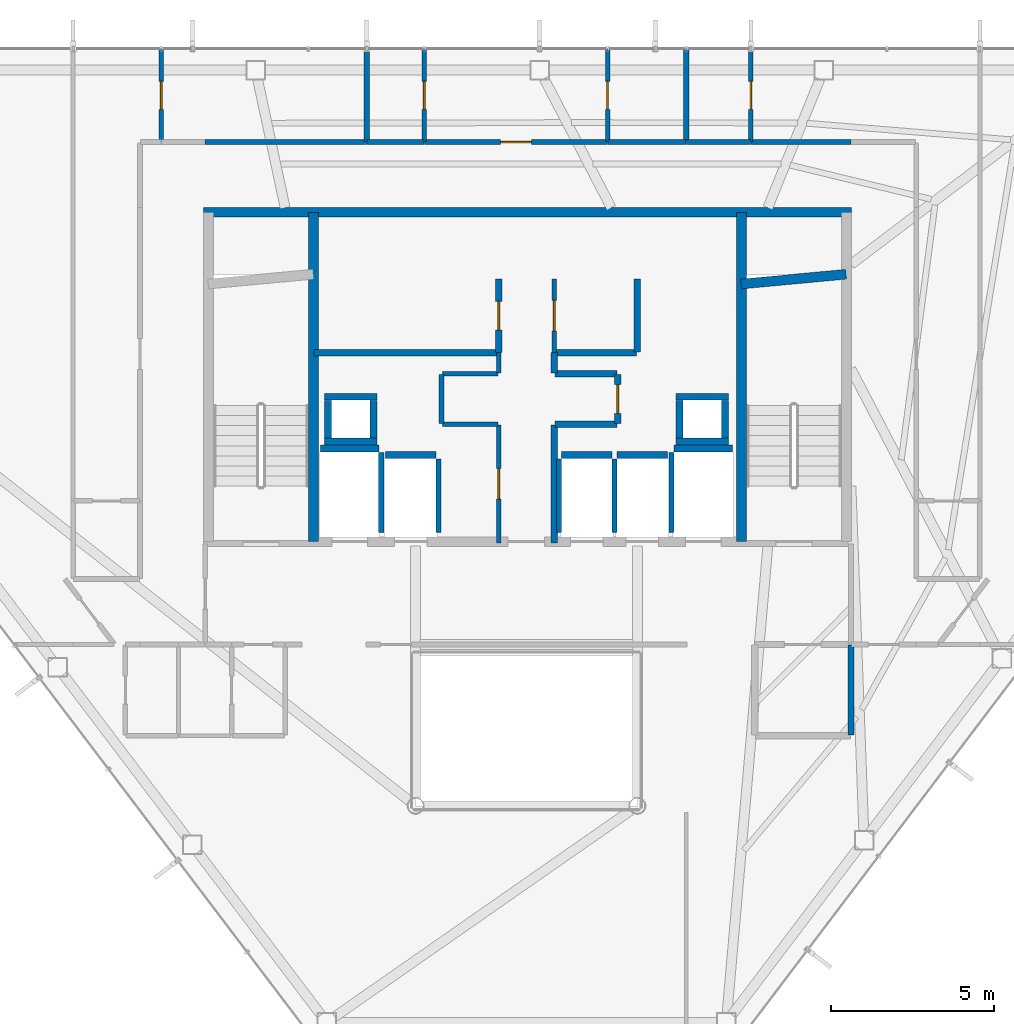
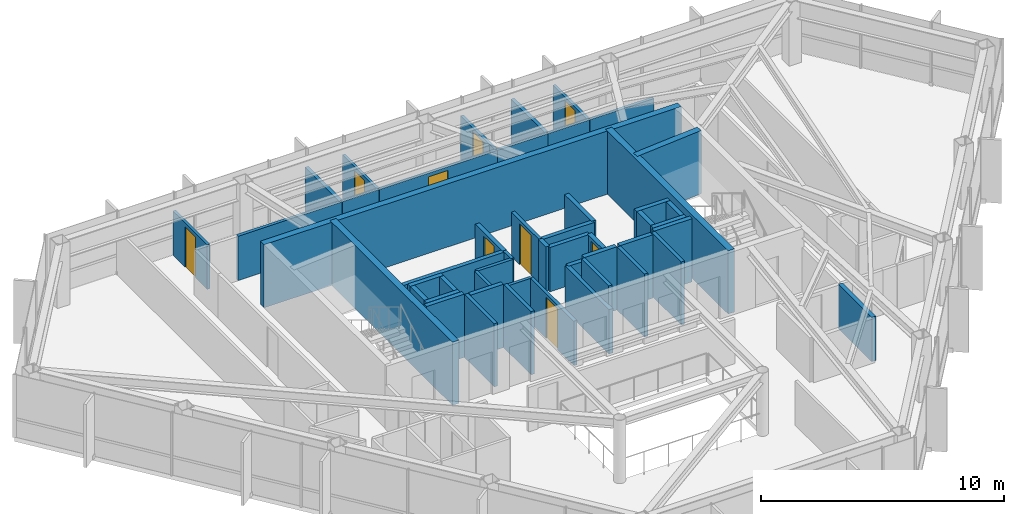
# One storey, part 23 of 25: 50 walls, 9 doors, 9 openings.
"""IFC4 building model written with IfcOpenShell, lengths in metres."""

from ifc_helpers import new_model, si_unit, direction, frame, frame_2d, origin, place, context, subcontext, project, spatial, rectangle, extrude, material, layer, layer_set, type_object, element, fill, save


model = new_model("IFC4")

# Units and contexts
model_context = context("Model", 3, precision=1e-05, world=origin(), true_north=direction((0.0, 1.0)))
body_context = subcontext(model_context, "Body", "Model", "MODEL_VIEW")
ifc_project = project(units=[si_unit("LENGTHUNIT", "METRE"), si_unit("AREAUNIT", "SQUARE_METRE"), si_unit("VOLUMEUNIT", "CUBIC_METRE"), si_unit("PLANEANGLEUNIT", "RADIAN"), si_unit("MASSUNIT", "GRAM", prefix="KILO")], contexts=[model_context])

# Site, building, storey
site_placement = place(None, origin())
site = spatial("IfcSite", under=ifc_project, at=site_placement, CompositionType="ELEMENT")
building_placement = place(site_placement, origin())
building = spatial("IfcBuilding", under=site, at=building_placement, Name="Zarrinselat Tower", CompositionType="ELEMENT")
storey_placement = place(building_placement, frame((0.0, 0.0, 208.760009765625)))
storey = spatial("IfcBuildingStorey", under=building, at=storey_placement, Name="L51", CompositionType="ELEMENT", Elevation=208.760009765625)

# Walls
ifc_material_1 = material(Name="Fire-Rated Gypsum Board Partition", Category="gypsum")
ifc_layer_1 = layer(ifc_material_1, 0.1650390625)
ifc_layer_set_1 = layer_set([ifc_layer_1], Name="Fire-Rated Gypsum Board Partition")
wall_type_1 = type_object("IfcWallType", Name="WAL-PART-DEMISE", PredefinedType="PARTITIONING", material=ifc_layer_set_1)
for number, where, z_axis, x_axis, name in (
    (1, (33.5, 45.570068359375, 0.0), (0.0, 0.0, 1.0), (0.0, 1.0, 0.0), "L51 Partition Wall 68"),
    (2, (43.300048828125, 45.570068359375, 0.0), (0.0, 0.0, 1.0), (0.0, 1.0, 0.0), "L51 Partition Wall 71"),
):
    element("IfcWall", number, at=place(storey_placement, frame(where, z_axis=z_axis, x_axis=x_axis)), inside=storey, type_object=wall_type_1, Name=name, PredefinedType="PARTITIONING", context=body_context, shape_type="SweptSolid", body=[
        extrude(rectangle(XDim=2.825927734375, YDim=0.1650390625, at=frame_2d((1.4130859375, 0.0))), origin(), (0.0, 0.0, 1.0), 2.235107421875),
    ])
ifc_material_2 = material(Name="Concrete C40/50", Category="concrete")
ifc_layer_2 = layer(ifc_material_2, 0.18994140625)
ifc_layer_set_2 = layer_set([ifc_layer_2], Name="Concrete C40/50")
wall_type_2 = type_object("IfcWallType", Name="WAL-PART-EI120", PredefinedType="PARTITIONING", material=ifc_layer_set_2)
wall_1_placement = place(storey_placement, frame((48.35009765625, 27.3701171875, 0.0), z_axis=(0.0, 0.0, 1.0), x_axis=(0.0, 1.0, 0.0)))
element("IfcWall", 3, at=wall_1_placement, inside=storey, type_object=wall_type_2, Name="L51 Partition Wall 25", PredefinedType="PARTITIONING", context=body_context, shape_type="SweptSolid", body=[
    extrude(rectangle(XDim=2.759765625, YDim=0.18994140625, at=frame_2d((1.3798828125, 0.0))), origin(), (0.0, 0.0, 1.0), 2.235107421875),
])

# Wall, opening, door
ifc_material_3 = material(Name="Fire-Rated Gypsum Board Partition", Category="gypsum")
ifc_layer_3 = layer(ifc_material_3, 0.14990234375)
ifc_layer_set_3 = layer_set([ifc_layer_3], Name="Fire-Rated Gypsum Board Partition")
wall_type_3 = type_object("IfcWallType", Name="WAL-PART-EI60", PredefinedType="PARTITIONING", material=ifc_layer_set_3)
wall_2_placement = place(storey_placement, frame((37.550048828125, 33.264892578125, 0.0), z_axis=(0.0, 0.0, 1.0), x_axis=(0.0, 1.0, 0.0)))
wall_2 = element("IfcWall", 4, at=wall_2_placement, inside=storey, type_object=wall_type_3, Name="L51 Partition Wall 1", PredefinedType="PARTITIONING", context=body_context, shape_type="SweptSolid", body=[
    extrude(rectangle(XDim=3.614990234375, YDim=0.14990234375, at=frame_2d((1.8076171875, 0.0))), origin(), (0.0, 0.0, 1.0), 2.235107421875),
])
opening_1_placement = place(wall_2_placement, frame((1.33740234375, 0.0, 0.0)))
opening_1 = element("IfcOpeningElement", 5, at=opening_1_placement, cuts=wall_2, Name="Opening ID-04", PredefinedType="OPENING", context=body_context, shape_type="SweptSolid", body=[
    extrude(rectangle(XDim=0.93994140625, YDim=2.050048828125, at=frame_2d((0.469970703125, 1.02490234375))), frame((0.0, 0.0849609375, 0.0), z_axis=(0.0, -1.0, 0.0), x_axis=(1.0, 0.0, 0.0)), (0.0, 0.0, 1.0), 0.169921875),
])
ifc_material_4 = material(Name="Fire-Rated Gypsum Board Partition")
door_type_1 = type_object("IfcDoorType", Name="DR-INT-FD30-ENT", OperationType="NOTDEFINED", PredefinedType="DOOR", material=ifc_material_4)
door_1_placement = place(opening_1_placement, origin())
door_1 = element("IfcDoor", 6, at=door_1_placement, inside=storey, type_object=door_type_1, Name="L51 Interior Door P1", OperationType="SINGLE_SWING_RIGHT", OverallHeight=2.050048828125, OverallWidth=0.93994140625, PredefinedType="DOOR", context=body_context, shape_type="SweptSolid", body=[
    extrude(rectangle(XDim=0.93994140625, YDim=2.050048828125, at=frame_2d((0.469970703125, 1.02490234375))), frame((0.0, 0.02490234375, 0.0), z_axis=(0.0, -1.0, 0.0), x_axis=(1.0, 0.0, 0.0)), (0.0, 0.0, 1.0), 0.050048828125),
])
fill(opening_1, door_1)

# Walls
wall_3_placement = place(storey_placement, frame((35.820068359375, 36.89990234375, 0.0), z_axis=(0.0, 0.0, 1.0), x_axis=(1.0, 0.0, 0.0)))
element("IfcWall", 7, at=wall_3_placement, inside=storey, type_object=wall_type_3, Name="L51 Partition Wall 2", PredefinedType="PARTITIONING", context=body_context, shape_type="SweptSolid", body=[
    extrude(rectangle(XDim=1.7099609375, YDim=0.14990234375, at=frame_2d((0.85498046875, 0.0))), origin(), (0.0, 0.0, 1.0), 2.235107421875),
])
wall_4_placement = place(storey_placement, frame((35.800048828125, 36.919921875, 0.0), z_axis=(0.0, 0.0, 1.0), x_axis=(0.0, 1.0, 0.0)))
element("IfcWall", 8, at=wall_4_placement, inside=storey, type_object=wall_type_3, Name="L51 Partition Wall 3", PredefinedType="PARTITIONING", context=body_context, shape_type="SweptSolid", body=[
    extrude(rectangle(XDim=1.510009765625, YDim=0.14990234375, at=frame_2d((0.7548828125, 0.0))), origin(), (0.0, 0.0, 1.0), 2.235107421875),
])
wall_5_placement = place(storey_placement, frame((35.820068359375, 38.449951171875, 0.0), z_axis=(0.0, 0.0, 1.0), x_axis=(1.0, 0.0, 0.0)))
element("IfcWall", 9, at=wall_5_placement, inside=storey, type_object=wall_type_3, Name="L51 Partition Wall 4", PredefinedType="PARTITIONING", context=body_context, shape_type="SweptSolid", body=[
    extrude(rectangle(XDim=1.7099609375, YDim=0.14990234375, at=frame_2d((0.85498046875, 0.0))), origin(), (0.0, 0.0, 1.0), 2.235107421875),
])
wall_6_placement = place(storey_placement, frame((37.550048828125, 38.469970703125, 0.0), z_axis=(0.0, 0.0, 1.0), x_axis=(0.0, 1.0, 0.0)))
element("IfcWall", 10, at=wall_6_placement, inside=storey, type_object=wall_type_3, Name="L51 Partition Wall 5", PredefinedType="PARTITIONING", context=body_context, shape_type="SweptSolid", body=[
    extrude(rectangle(XDim=0.625, YDim=0.14990234375, at=frame_2d((0.3125, 0.0))), origin(), (0.0, 0.0, 1.0), 2.235107421875),
])

# Wall, opening, door
wall_7_placement = place(storey_placement, frame((39.25, 39.10498046875, 0.0), z_axis=(0.0, 0.0, 1.0), x_axis=(0.0, 1.0, 0.0)))
wall_7 = element("IfcWall", 11, at=wall_7_placement, inside=storey, type_object=wall_type_3, Name="L51 Partition Wall 12", PredefinedType="PARTITIONING", context=body_context, shape_type="SweptSolid", body=[
    extrude(rectangle(XDim=2.2451171875, YDim=0.14990234375, at=frame_2d((1.12255859375, 0.0))), origin(), (0.0, 0.0, 1.0), 2.235107421875),
])
opening_2_placement = place(wall_7_placement, frame((0.652587890625, 0.0, 0.0)))
opening_2 = element("IfcOpeningElement", 12, at=opening_2_placement, cuts=wall_7, Name="Opening ID-04", PredefinedType="OPENING", context=body_context, shape_type="SweptSolid", body=[
    extrude(rectangle(XDim=0.93994140625, YDim=2.050048828125, at=frame_2d((0.469970703125, 1.02490234375))), frame((0.0, 0.0849609375, 0.0), z_axis=(0.0, -1.0, 0.0), x_axis=(1.0, 0.0, 0.0)), (0.0, 0.0, 1.0), 0.169921875),
])
door_2_placement = place(opening_2_placement, origin())
door_2 = element("IfcDoor", 13, at=door_2_placement, inside=storey, type_object=door_type_1, Name="L51 Interior Door P12", OperationType="SINGLE_SWING_LEFT", OverallHeight=2.050048828125, OverallWidth=0.93994140625, PredefinedType="DOOR", context=body_context, shape_type="SweptSolid", body=[
    extrude(rectangle(XDim=0.93994140625, YDim=2.050048828125, at=frame_2d((0.469970703125, 1.02490234375))), frame((0.0, 0.02490234375, 0.0), z_axis=(0.0, -1.0, 0.0), x_axis=(1.0, 0.0, 0.0)), (0.0, 0.0, 1.0), 0.050048828125),
])
fill(opening_2, door_2)

# Walls
wall_8_placement = place(storey_placement, frame((28.550048828125, 45.550048828125, 0.0), z_axis=(0.0, 0.0, 1.0), x_axis=(1.0, 0.0, 0.0)))
element("IfcWall", 14, at=wall_8_placement, inside=storey, type_object=wall_type_3, Name="L51 Partition Wall 37", PredefinedType="PARTITIONING", context=body_context, shape_type="SweptSolid", body=[
    extrude(rectangle(XDim=4.945068359375, YDim=0.14990234375, at=frame_2d((2.47265625, 0.0))), origin(), (0.0, 0.0, 1.0), 2.235107421875),
])
wall_9_placement = place(storey_placement, frame((45.284912109375, 45.550048828125, 0.0), z_axis=(0.0, 0.0, 1.0), x_axis=(1.0, 0.0, 0.0)))
element("IfcWall", 15, at=wall_9_placement, inside=storey, type_object=wall_type_3, Name="L51 Partition Wall 40", PredefinedType="PARTITIONING", context=body_context, shape_type="SweptSolid", body=[
    extrude(rectangle(XDim=3.065185546875, YDim=0.14990234375, at=frame_2d((1.53271484375, 0.0))), origin(), (0.0, 0.0, 1.0), 2.235107421875),
])
wall_10_placement = place(storey_placement, frame((43.304931640625, 45.550048828125, 0.0), z_axis=(0.0, 0.0, 1.0), x_axis=(1.0, 0.0, 0.0)))
element("IfcWall", 16, at=wall_10_placement, inside=storey, type_object=wall_type_3, Name="L51 Partition Wall 44", PredefinedType="PARTITIONING", context=body_context, shape_type="SweptSolid", body=[
    extrude(rectangle(XDim=1.969970703125, YDim=0.14990234375, at=frame_2d((0.98486328125, 0.0))), origin(), (0.0, 0.0, 1.0), 2.235107421875),
])

# Wall, opening, door
wall_11_placement = place(storey_placement, frame((35.26904296875, 45.550048828125, 0.0), z_axis=(0.0, 0.0, 1.0), x_axis=(1.0, 0.0, 0.0)))
wall_11 = element("IfcWall", 17, at=wall_11_placement, inside=storey, type_object=wall_type_3, Name="L51 Partition Wall 47", PredefinedType="PARTITIONING", context=body_context, shape_type="SweptSolid", body=[
    extrude(rectangle(XDim=5.615234375, YDim=0.14990234375, at=frame_2d((2.8076171875, 0.0))), origin(), (0.0, 0.0, 1.0), 2.235107421875),
])
opening_3_placement = place(wall_11_placement, frame((2.337646484375, 0.0, 0.0)))
opening_3 = element("IfcOpeningElement", 18, at=opening_3_placement, cuts=wall_11, Name="Opening ID-04", PredefinedType="OPENING", context=body_context, shape_type="SweptSolid", body=[
    extrude(rectangle(XDim=0.93994140625, YDim=2.050048828125, at=frame_2d((0.469970703125, 1.02490234375))), frame((0.0, 0.0849609375, 0.0), z_axis=(0.0, -1.0, 0.0), x_axis=(1.0, 0.0, 0.0)), (0.0, 0.0, 1.0), 0.169921875),
])
door_3_placement = place(opening_3_placement, origin())
door_3 = element("IfcDoor", 19, at=door_3_placement, inside=storey, type_object=door_type_1, Name="L51 Interior Door P47", OperationType="SINGLE_SWING_LEFT", OverallHeight=2.050048828125, OverallWidth=0.93994140625, PredefinedType="DOOR", context=body_context, shape_type="SweptSolid", body=[
    extrude(rectangle(XDim=0.93994140625, YDim=2.050048828125, at=frame_2d((0.469970703125, 1.02490234375))), frame((0.0, 0.02490234375, 0.0), z_axis=(0.0, -1.0, 0.0), x_axis=(1.0, 0.0, 0.0)), (0.0, 0.0, 1.0), 0.050048828125),
])
fill(opening_3, door_3)

# Walls
wall_12_placement = place(storey_placement, frame((40.894287109375, 45.550048828125, 0.0), z_axis=(0.0, 0.0, 1.0), x_axis=(1.0, 0.0, 0.0)))
element("IfcWall", 20, at=wall_12_placement, inside=storey, type_object=wall_type_3, Name="L51 Partition Wall 48", PredefinedType="PARTITIONING", context=body_context, shape_type="SweptSolid", body=[
    extrude(rectangle(XDim=2.400634765625, YDim=0.14990234375, at=frame_2d((1.2001953125, 0.0))), origin(), (0.0, 0.0, 1.0), 2.235107421875),
])
wall_13_placement = place(storey_placement, frame((33.5048828125, 45.550048828125, 0.0), z_axis=(0.0, 0.0, 1.0), x_axis=(1.0, 0.0, 0.0)))
element("IfcWall", 21, at=wall_13_placement, inside=storey, type_object=wall_type_3, Name="L51 Partition Wall 49", PredefinedType="PARTITIONING", context=body_context, shape_type="SweptSolid", body=[
    extrude(rectangle(XDim=1.754150390625, YDim=0.14990234375, at=frame_2d((0.876953125, 0.0))), origin(), (0.0, 0.0, 1.0), 2.235107421875),
])

# Wall, opening, door
ifc_material_5 = material(Name="Concrete C40/50", Category="concrete")
ifc_layer_4 = layer(ifc_material_5, 0.199951171875)
ifc_layer_set_4 = layer_set([ifc_layer_4], Name="Concrete C40/50")
wall_type_4 = type_object("IfcWallType", Name="WAL-PART-PLANT", PredefinedType="PARTITIONING", material=ifc_layer_set_4)
wall_14_placement = place(storey_placement, frame((37.550048828125, 39.10498046875, 0.0), z_axis=(0.0, 0.0, 1.0), x_axis=(0.0, 1.0, 0.0)))
wall_14 = element("IfcWall", 22, at=wall_14_placement, inside=storey, type_object=wall_type_4, Name="L51 Partition Wall 6", PredefinedType="PARTITIONING", context=body_context, shape_type="SweptSolid", body=[
    extrude(rectangle(XDim=2.2451171875, YDim=0.199951171875, at=frame_2d((1.12255859375, 0.0))), origin(), (0.0, 0.0, 1.0), 2.235107421875),
])
opening_4_placement = place(wall_14_placement, frame((0.6826171875, 0.0, 0.0)))
opening_4 = element("IfcOpeningElement", 23, at=opening_4_placement, cuts=wall_14, Name="Opening ID-03", PredefinedType="OPENING", context=body_context, shape_type="SweptSolid", body=[
    extrude(rectangle(XDim=0.8798828125, YDim=2.050048828125, at=frame_2d((0.43994140625, 1.02490234375))), frame((0.0, 0.10986328125, 0.0), z_axis=(0.0, -1.0, 0.0), x_axis=(1.0, 0.0, 0.0)), (0.0, 0.0, 1.0), 0.219970703125),
])
ifc_material_6 = material(Name="Steel S355J2", Category="steel")
door_type_2 = type_object("IfcDoorType", Name="DR-INT-FD60-S", OperationType="NOTDEFINED", PredefinedType="DOOR", material=ifc_material_6)
door_4_placement = place(opening_4_placement, origin())
door_4 = element("IfcDoor", 24, at=door_4_placement, inside=storey, type_object=door_type_2, Name="L51 Interior Door P6", OperationType="SINGLE_SWING_LEFT", OverallHeight=2.050048828125, OverallWidth=0.8798828125, PredefinedType="DOOR", context=body_context, shape_type="SweptSolid", body=[
    extrude(rectangle(XDim=0.8798828125, YDim=2.050048828125, at=frame_2d((0.43994140625, 1.02490234375))), frame((0.0, 0.02490234375, 0.0), z_axis=(0.0, -1.0, 0.0), x_axis=(1.0, 0.0, 0.0)), (0.0, 0.0, 1.0), 0.050048828125),
])
fill(opening_4, door_4)

# Walls
wall_15_placement = place(storey_placement, frame((39.25, 38.469970703125, 0.0), z_axis=(0.0, 0.0, 1.0), x_axis=(0.0, 1.0, 0.0)))
element("IfcWall", 25, at=wall_15_placement, inside=storey, type_object=wall_type_4, Name="L51 Partition Wall 7", PredefinedType="PARTITIONING", context=body_context, shape_type="SweptSolid", body=[
    extrude(rectangle(XDim=0.625, YDim=0.199951171875, at=frame_2d((0.3125, 0.0))), origin(), (0.0, 0.0, 1.0), 2.235107421875),
])
wall_16_placement = place(storey_placement, frame((39.27001953125, 38.449951171875, 0.0), z_axis=(0.0, 0.0, 1.0), x_axis=(1.0, 0.0, 0.0)))
element("IfcWall", 26, at=wall_16_placement, inside=storey, type_object=wall_type_4, Name="L51 Partition Wall 8", PredefinedType="PARTITIONING", context=body_context, shape_type="SweptSolid", body=[
    extrude(rectangle(XDim=1.909912109375, YDim=0.199951171875, at=frame_2d((0.955078125, 0.0))), origin(), (0.0, 0.0, 1.0), 2.235107421875),
])

# Wall, opening, door
wall_17_placement = place(storey_placement, frame((41.199951171875, 36.919921875, 0.0), z_axis=(0.0, 0.0, 1.0), x_axis=(0.0, 1.0, 0.0)))
wall_17 = element("IfcWall", 27, at=wall_17_placement, inside=storey, type_object=wall_type_4, Name="L51 Partition Wall 9", PredefinedType="PARTITIONING", context=body_context, shape_type="SweptSolid", body=[
    extrude(rectangle(XDim=1.510009765625, YDim=0.199951171875, at=frame_2d((0.7548828125, 0.0))), origin(), (0.0, 0.0, 1.0), 2.235107421875),
])
opening_5_placement = place(wall_17_placement, frame((0.31494140625, 0.0, 0.0)))
opening_5 = element("IfcOpeningElement", 28, at=opening_5_placement, cuts=wall_17, Name="Opening ID-03", PredefinedType="OPENING", context=body_context, shape_type="SweptSolid", body=[
    extrude(rectangle(XDim=0.8798828125, YDim=2.050048828125, at=frame_2d((0.43994140625, 1.02490234375))), frame((0.0, 0.10986328125, 0.0), z_axis=(0.0, -1.0, 0.0), x_axis=(1.0, 0.0, 0.0)), (0.0, 0.0, 1.0), 0.219970703125),
])
door_5_placement = place(opening_5_placement, origin())
door_5 = element("IfcDoor", 29, at=door_5_placement, inside=storey, type_object=door_type_2, Name="L51 Interior Door P9", OperationType="SINGLE_SWING_RIGHT", OverallHeight=2.050048828125, OverallWidth=0.8798828125, PredefinedType="DOOR", context=body_context, shape_type="SweptSolid", body=[
    extrude(rectangle(XDim=0.8798828125, YDim=2.050048828125, at=frame_2d((0.43994140625, 1.02490234375))), frame((0.0, 0.02490234375, 0.0), z_axis=(0.0, -1.0, 0.0), x_axis=(1.0, 0.0, 0.0)), (0.0, 0.0, 1.0), 0.050048828125),
])
fill(opening_5, door_5)

# Walls
wall_18_placement = place(storey_placement, frame((39.27001953125, 36.89990234375, 0.0), z_axis=(0.0, 0.0, 1.0), x_axis=(1.0, 0.0, 0.0)))
element("IfcWall", 30, at=wall_18_placement, inside=storey, type_object=wall_type_4, Name="L51 Partition Wall 10", PredefinedType="PARTITIONING", context=body_context, shape_type="SweptSolid", body=[
    extrude(rectangle(XDim=1.909912109375, YDim=0.199951171875, at=frame_2d((0.955078125, 0.0))), origin(), (0.0, 0.0, 1.0), 2.235107421875),
])
wall_19_placement = place(storey_placement, frame((39.25, 33.264892578125, 0.0), z_axis=(0.0, 0.0, 1.0), x_axis=(0.0, 1.0, 0.0)))
element("IfcWall", 31, at=wall_19_placement, inside=storey, type_object=wall_type_4, Name="L51 Partition Wall 11", PredefinedType="PARTITIONING", context=body_context, shape_type="SweptSolid", body=[
    extrude(rectangle(XDim=3.614990234375, YDim=0.199951171875, at=frame_2d((1.8076171875, 0.0))), origin(), (0.0, 0.0, 1.0), 2.235107421875),
])
wall_20_placement = place(storey_placement, frame((31.885009765625, 39.10009765625, 0.0), z_axis=(0.0, 0.0, 1.0), x_axis=(1.0, 0.0, 0.0)))
element("IfcWall", 32, at=wall_20_placement, inside=storey, type_object=wall_type_4, Name="L51 Partition Wall 13", PredefinedType="PARTITIONING", context=body_context, shape_type="SweptSolid", body=[
    extrude(rectangle(XDim=5.64501953125, YDim=0.199951171875, at=frame_2d((2.822509765625, 0.0))), origin(), (0.0, 0.0, 1.0), 2.235107421875),
])
wall_21_placement = place(storey_placement, frame((39.27001953125, 39.10009765625, 0.0), z_axis=(0.0, 0.0, 1.0), x_axis=(1.0, 0.0, 0.0)))
element("IfcWall", 33, at=wall_21_placement, inside=storey, type_object=wall_type_4, Name="L51 Partition Wall 14", PredefinedType="PARTITIONING", context=body_context, shape_type="SweptSolid", body=[
    extrude(rectangle(XDim=2.510009765625, YDim=0.199951171875, at=frame_2d((1.2548828125, 0.0))), origin(), (0.0, 0.0, 1.0), 2.235107421875),
])
wall_22_placement = place(storey_placement, frame((41.800048828125, 39.1201171875, 0.0), z_axis=(0.0, 0.0, 1.0), x_axis=(0.0, 1.0, 0.0)))
element("IfcWall", 34, at=wall_22_placement, inside=storey, type_object=wall_type_4, Name="L51 Partition Wall 15", PredefinedType="PARTITIONING", context=body_context, shape_type="SweptSolid", body=[
    extrude(rectangle(XDim=2.22998046875, YDim=0.199951171875, at=frame_2d((1.114990234375, 0.0))), origin(), (0.0, 0.0, 1.0), 2.235107421875),
])

# Wall, opening, door
ifc_material_7 = material(Name="Fire-Rated Gypsum Board Partition", Category="gypsum")
ifc_layer_5 = layer(ifc_material_7, 0.135009765625)
ifc_layer_set_5 = layer_set([ifc_layer_5], Name="Fire-Rated Gypsum Board Partition")
wall_type_5 = type_object("IfcWallType", Name="WAL-PART-WET", PredefinedType="PARTITIONING", material=ifc_layer_set_5)
wall_23_placement = place(storey_placement, frame((27.199951171875, 45.570068359375, 0.0), z_axis=(0.0, 0.0, 1.0), x_axis=(0.0, 1.0, 0.0)))
wall_23 = element("IfcWall", 35, at=wall_23_placement, inside=storey, type_object=wall_type_5, Name="L51 Partition Wall 66", PredefinedType="PARTITIONING", context=body_context, shape_type="SweptSolid", body=[
    extrude(rectangle(XDim=2.825927734375, YDim=0.135009765625, at=frame_2d((1.4130859375, 0.0))), origin(), (0.0, 0.0, 1.0), 2.235107421875),
])
opening_6_placement = place(wall_23_placement, frame((0.98291015625, 0.0, 0.0)))
opening_6 = element("IfcOpeningElement", 36, at=opening_6_placement, cuts=wall_23, Name="Opening ID-06", PredefinedType="OPENING", context=body_context, shape_type="SweptSolid", body=[
    extrude(rectangle(XDim=0.860107421875, YDim=2.050048828125, at=frame_2d((0.43017578125, 1.02490234375))), frame((0.0, 0.077392578125, 0.0), z_axis=(0.0, -1.0, 0.0), x_axis=(1.0, 0.0, 0.0)), (0.0, 0.0, 1.0), 0.155029296875),
])
ifc_material_8 = material(Name="Extruded Aluminium Alloy EN AW-6063 T6", Category="aluminium")
door_type_3 = type_object("IfcDoorType", Name="DR-INT-WET-900", OperationType="NOTDEFINED", PredefinedType="DOOR", material=ifc_material_8)
door_6_placement = place(opening_6_placement, origin())
door_6 = element("IfcDoor", 37, at=door_6_placement, inside=storey, type_object=door_type_3, Name="L51 Interior Door P66", OperationType="SINGLE_SWING_RIGHT", OverallHeight=2.050048828125, OverallWidth=0.860107421875, PredefinedType="DOOR", context=body_context, shape_type="SweptSolid", body=[
    extrude(rectangle(XDim=0.860107421875, YDim=2.050048828125, at=frame_2d((0.43017578125, 1.02490234375))), frame((0.0, 0.02490234375, 0.0), z_axis=(0.0, -1.0, 0.0), x_axis=(1.0, 0.0, 0.0)), (0.0, 0.0, 1.0), 0.050048828125),
])
fill(opening_6, door_6)

wall_24_placement = place(storey_placement, frame((45.280029296875, 45.570068359375, 0.0), z_axis=(0.0, 0.0, 1.0), x_axis=(0.0, 1.0, 0.0)))
wall_24 = element("IfcWall", 38, at=wall_24_placement, inside=storey, type_object=wall_type_5, Name="L51 Partition Wall 69", PredefinedType="PARTITIONING", context=body_context, shape_type="SweptSolid", body=[
    extrude(rectangle(XDim=2.825927734375, YDim=0.135009765625, at=frame_2d((1.4130859375, 0.0))), origin(), (0.0, 0.0, 1.0), 2.235107421875),
])
opening_7_placement = place(wall_24_placement, frame((0.98291015625, 0.0, 0.0)))
opening_7 = element("IfcOpeningElement", 39, at=opening_7_placement, cuts=wall_24, Name="Opening ID-06", PredefinedType="OPENING", context=body_context, shape_type="SweptSolid", body=[
    extrude(rectangle(XDim=0.860107421875, YDim=2.050048828125, at=frame_2d((0.43017578125, 1.02490234375))), frame((0.0, 0.077392578125, 0.0), z_axis=(0.0, -1.0, 0.0), x_axis=(1.0, 0.0, 0.0)), (0.0, 0.0, 1.0), 0.155029296875),
])
door_7_placement = place(opening_7_placement, origin())
door_7 = element("IfcDoor", 40, at=door_7_placement, inside=storey, type_object=door_type_3, Name="L51 Interior Door P69", OperationType="SINGLE_SWING_RIGHT", OverallHeight=2.050048828125, OverallWidth=0.860107421875, PredefinedType="DOOR", context=body_context, shape_type="SweptSolid", body=[
    extrude(rectangle(XDim=0.860107421875, YDim=2.050048828125, at=frame_2d((0.43017578125, 1.02490234375))), frame((0.0, 0.02490234375, 0.0), z_axis=(0.0, -1.0, 0.0), x_axis=(1.0, 0.0, 0.0)), (0.0, 0.0, 1.0), 0.050048828125),
])
fill(opening_7, door_7)

wall_25_placement = place(storey_placement, frame((40.88916015625, 45.570068359375, 0.0), z_axis=(0.0, 0.0, 1.0), x_axis=(0.0, 1.0, 0.0)))
wall_25 = element("IfcWall", 41, at=wall_25_placement, inside=storey, type_object=wall_type_5, Name="L51 Partition Wall 72", PredefinedType="PARTITIONING", context=body_context, shape_type="SweptSolid", body=[
    extrude(rectangle(XDim=2.825927734375, YDim=0.135009765625, at=frame_2d((1.4130859375, 0.0))), origin(), (0.0, 0.0, 1.0), 2.235107421875),
])
opening_8_placement = place(wall_25_placement, frame((0.98291015625, 0.0, 0.0)))
opening_8 = element("IfcOpeningElement", 42, at=opening_8_placement, cuts=wall_25, Name="Opening ID-06", PredefinedType="OPENING", context=body_context, shape_type="SweptSolid", body=[
    extrude(rectangle(XDim=0.860107421875, YDim=2.050048828125, at=frame_2d((0.43017578125, 1.02490234375))), frame((0.0, 0.077392578125, 0.0), z_axis=(0.0, -1.0, 0.0), x_axis=(1.0, 0.0, 0.0)), (0.0, 0.0, 1.0), 0.155029296875),
])
door_8_placement = place(opening_8_placement, origin())
door_8 = element("IfcDoor", 43, at=door_8_placement, inside=storey, type_object=door_type_3, Name="L51 Interior Door P72", OperationType="SINGLE_SWING_RIGHT", OverallHeight=2.050048828125, OverallWidth=0.860107421875, PredefinedType="DOOR", context=body_context, shape_type="SweptSolid", body=[
    extrude(rectangle(XDim=0.860107421875, YDim=2.050048828125, at=frame_2d((0.43017578125, 1.02490234375))), frame((0.0, 0.02490234375, 0.0), z_axis=(0.0, -1.0, 0.0), x_axis=(1.0, 0.0, 0.0)), (0.0, 0.0, 1.0), 0.050048828125),
])
fill(opening_8, door_8)

wall_26_placement = place(storey_placement, frame((35.263916015625, 45.570068359375, 0.0), z_axis=(0.0, 0.0, 1.0), x_axis=(0.0, 1.0, 0.0)))
wall_26 = element("IfcWall", 44, at=wall_26_placement, inside=storey, type_object=wall_type_5, Name="L51 Partition Wall 73", PredefinedType="PARTITIONING", context=body_context, shape_type="SweptSolid", body=[
    extrude(rectangle(XDim=2.825927734375, YDim=0.135009765625, at=frame_2d((1.4130859375, 0.0))), origin(), (0.0, 0.0, 1.0), 2.235107421875),
])
opening_9_placement = place(wall_26_placement, frame((0.98291015625, 0.0, 0.0)))
opening_9 = element("IfcOpeningElement", 45, at=opening_9_placement, cuts=wall_26, Name="Opening ID-06", PredefinedType="OPENING", context=body_context, shape_type="SweptSolid", body=[
    extrude(rectangle(XDim=0.860107421875, YDim=2.050048828125, at=frame_2d((0.43017578125, 1.02490234375))), frame((0.0, 0.077392578125, 0.0), z_axis=(0.0, -1.0, 0.0), x_axis=(1.0, 0.0, 0.0)), (0.0, 0.0, 1.0), 0.155029296875),
])
door_9_placement = place(opening_9_placement, origin())
door_9 = element("IfcDoor", 46, at=door_9_placement, inside=storey, type_object=door_type_3, Name="L51 Interior Door P73", OperationType="SINGLE_SWING_LEFT", OverallHeight=2.050048828125, OverallWidth=0.860107421875, PredefinedType="DOOR", context=body_context, shape_type="SweptSolid", body=[
    extrude(rectangle(XDim=0.860107421875, YDim=2.050048828125, at=frame_2d((0.43017578125, 1.02490234375))), frame((0.0, 0.02490234375, 0.0), z_axis=(0.0, -1.0, 0.0), x_axis=(1.0, 0.0, 0.0)), (0.0, 0.0, 1.0), 0.050048828125),
])
fill(opening_9, door_9)

# Walls
ifc_material_9 = material(Name="Concrete C40/50", Category="concrete")
ifc_layer_6 = layer(ifc_material_9, 0.2099609375)
ifc_layer_set_6 = layer_set([ifc_layer_6], Name="Concrete C40/50")
wall_type_6 = type_object("IfcWallType", Name="WAL-SHAFT-210", PredefinedType="SOLIDWALL", material=ifc_layer_set_6)
wall_27_placement = place(storey_placement, frame((32.080078125, 36.155029296875, 0.0), z_axis=(0.0, 0.0, 1.0), x_axis=(1.0, 0.0, 0.0)))
element("IfcWall", 47, at=wall_27_placement, inside=storey, type_object=wall_type_6, Name="L51 Lift FFL1 North Shaft Wall", PredefinedType="SOLIDWALL", context=body_context, shape_type="SweptSolid", body=[
    extrude(rectangle(XDim=1.7998046875, YDim=0.2099609375, at=frame_2d((0.89990234375, 0.0))), origin(), (0.0, 0.0, 1.0), 3.179931640625),
])
wall_28_placement = place(storey_placement, frame((33.949951171875, 33.580078125, 0.0), z_axis=(0.0, 0.0, 1.0), x_axis=(0.0, 1.0, 0.0)))
element("IfcWall", 48, at=wall_28_placement, inside=storey, type_object=wall_type_6, Name="L51 Lift FFL1 E Shaft Wall", PredefinedType="SOLIDWALL", context=body_context, shape_type="SweptSolid", body=[
    extrude(rectangle(XDim=2.449951171875, YDim=0.159912109375, at=frame_2d((1.22509765625, 0.0))), origin(), (0.0, 0.0, 1.0), 3.179931640625),
])
wall_29_placement = place(storey_placement, frame((42.919921875, 36.155029296875, 0.0), z_axis=(0.0, 0.0, 1.0), x_axis=(1.0, 0.0, 0.0)))
element("IfcWall", 49, at=wall_29_placement, inside=storey, type_object=wall_type_6, Name="L51 Lift FFL2 North Shaft Wall", PredefinedType="SOLIDWALL", context=body_context, shape_type="SweptSolid", body=[
    extrude(rectangle(XDim=1.800048828125, YDim=0.2099609375, at=frame_2d((0.89990234375, 0.0))), origin(), (0.0, 0.0, 1.0), 3.179931640625),
])
wall_30_placement = place(storey_placement, frame((42.85009765625, 33.580078125, 0.0), z_axis=(0.0, 0.0, 1.0), x_axis=(0.0, 1.0, 0.0)))
element("IfcWall", 50, at=wall_30_placement, inside=storey, type_object=wall_type_6, Name="L51 Lift FFL2 W Shaft Wall", PredefinedType="SOLIDWALL", context=body_context, shape_type="SweptSolid", body=[
    extrude(rectangle(XDim=2.449951171875, YDim=0.159912109375, at=frame_2d((1.22509765625, 0.0))), origin(), (0.0, 0.0, 1.0), 3.179931640625),
])
wall_31_placement = place(storey_placement, frame((39.469970703125, 35.955078125, 0.0), z_axis=(0.0, 0.0, 1.0), x_axis=(1.0, 0.0, 0.0)))
element("IfcWall", 51, at=wall_31_placement, inside=storey, type_object=wall_type_6, Name="L51 Lift PL8 North Shaft Wall", PredefinedType="SOLIDWALL", context=body_context, shape_type="SweptSolid", body=[
    extrude(rectangle(XDim=1.56005859375, YDim=0.2099609375, at=frame_2d((0.780029296875, 0.0))), origin(), (0.0, 0.0, 1.0), 3.179931640625),
])
for number, where, z_axis, x_axis, name in (
    (52, (39.39990234375, 33.580078125, 0.0), (0.0, 0.0, 1.0), (0.0, 1.0, 0.0), "L51 Lift PL8 W Shaft Wall"),
    (53, (41.10009765625, 33.580078125, 0.0), (0.0, 0.0, 1.0), (0.0, 1.0, 0.0), "L51 Lift PL8 E Shaft Wall"),
):
    element("IfcWall", number, at=place(storey_placement, frame(where, z_axis=z_axis, x_axis=x_axis)), inside=storey, type_object=wall_type_6, Name=name, PredefinedType="SOLIDWALL", context=body_context, shape_type="SweptSolid", body=[
        extrude(rectangle(XDim=2.25, YDim=0.159912109375, at=frame_2d((1.125, 0.0))), origin(), (0.0, 0.0, 1.0), 3.179931640625),
    ])
wall_32_placement = place(storey_placement, frame((41.169921875, 35.955078125, 0.0), z_axis=(0.0, 0.0, 1.0), x_axis=(1.0, 0.0, 0.0)))
element("IfcWall", 54, at=wall_32_placement, inside=storey, type_object=wall_type_6, Name="L51 Lift PL9 North Shaft Wall", PredefinedType="SOLIDWALL", context=body_context, shape_type="SweptSolid", body=[
    extrude(rectangle(XDim=1.56005859375, YDim=0.2099609375, at=frame_2d((0.780029296875, 0.0))), origin(), (0.0, 0.0, 1.0), 3.179931640625),
])
wall_33_placement = place(storey_placement, frame((34.070068359375, 35.955078125, 0.0), z_axis=(0.0, 0.0, 1.0), x_axis=(1.0, 0.0, 0.0)))
element("IfcWall", 55, at=wall_33_placement, inside=storey, type_object=wall_type_6, Name="L51 Lift PL10 North Shaft Wall", PredefinedType="SOLIDWALL", context=body_context, shape_type="SweptSolid", body=[
    extrude(rectangle(XDim=1.559814453125, YDim=0.2099609375, at=frame_2d((0.77978515625, 0.0))), origin(), (0.0, 0.0, 1.0), 3.179931640625),
])
wall_34_placement = place(storey_placement, frame((35.699951171875, 33.580078125, 0.0), z_axis=(0.0, 0.0, 1.0), x_axis=(0.0, 1.0, 0.0)))
element("IfcWall", 56, at=wall_34_placement, inside=storey, type_object=wall_type_6, Name="L51 Lift PL10 E Shaft Wall", PredefinedType="SOLIDWALL", context=body_context, shape_type="SweptSolid", body=[
    extrude(rectangle(XDim=2.25, YDim=0.159912109375, at=frame_2d((1.125, 0.0))), origin(), (0.0, 0.0, 1.0), 3.179931640625),
])
for number, where, z_axis, x_axis, name in (
    (57, (32.2099609375, 36.375, 0.0), (0.0, 0.0, 1.0), (1.0, 0.0, 0.0), "L51 Core Riser RSR-W S Shaft Wall"),
    (58, (32.2099609375, 37.7451171875, 0.0), (0.0, 0.0, 1.0), (1.0, 0.0, 0.0), "L51 Core Riser RSR-W N Shaft Wall"),
):
    element("IfcWall", number, at=place(storey_placement, frame(where, z_axis=z_axis, x_axis=x_axis)), inside=storey, type_object=wall_type_6, Name=name, PredefinedType="SOLIDWALL", context=body_context, shape_type="SweptSolid", body=[
        extrude(rectangle(XDim=1.60009765625, YDim=0.2099609375, at=frame_2d((0.800048828125, 0.0))), origin(), (0.0, 0.0, 1.0), 3.179931640625),
    ])
for number, where, z_axis, x_axis, name in (
    (59, (32.31494140625, 36.485107421875, 0.0), (0.0, 0.0, 1.0), (0.0, 1.0, 0.0), "L51 Core Riser RSR-W W Shaft Wall"),
    (60, (33.705078125, 36.485107421875, 0.0), (0.0, 0.0, 1.0), (0.0, 1.0, 0.0), "L51 Core Riser RSR-W E Shaft Wall"),
):
    element("IfcWall", number, at=place(storey_placement, frame(where, z_axis=z_axis, x_axis=x_axis)), inside=storey, type_object=wall_type_6, Name=name, PredefinedType="SOLIDWALL", context=body_context, shape_type="SweptSolid", body=[
        extrude(rectangle(XDim=1.14990234375, YDim=0.2099609375, at=frame_2d((0.574951171875, 0.0))), origin(), (0.0, 0.0, 1.0), 3.179931640625),
    ])
for number, where, z_axis, x_axis, name in (
    (61, (42.989990234375, 36.375, 0.0), (0.0, 0.0, 1.0), (1.0, 0.0, 0.0), "L51 Core Riser RSR-E S Shaft Wall"),
    (62, (42.989990234375, 37.7451171875, 0.0), (0.0, 0.0, 1.0), (1.0, 0.0, 0.0), "L51 Core Riser RSR-E N Shaft Wall"),
):
    element("IfcWall", number, at=place(storey_placement, frame(where, z_axis=z_axis, x_axis=x_axis)), inside=storey, type_object=wall_type_6, Name=name, PredefinedType="SOLIDWALL", context=body_context, shape_type="SweptSolid", body=[
        extrude(rectangle(XDim=1.60009765625, YDim=0.2099609375, at=frame_2d((0.800048828125, 0.0))), origin(), (0.0, 0.0, 1.0), 3.179931640625),
    ])
for number, where, z_axis, x_axis, name in (
    (63, (43.094970703125, 36.485107421875, 0.0), (0.0, 0.0, 1.0), (0.0, 1.0, 0.0), "L51 Core Riser RSR-E W Shaft Wall"),
    (64, (44.485107421875, 36.485107421875, 0.0), (0.0, 0.0, 1.0), (0.0, 1.0, 0.0), "L51 Core Riser RSR-E E Shaft Wall"),
):
    element("IfcWall", number, at=place(storey_placement, frame(where, z_axis=z_axis, x_axis=x_axis)), inside=storey, type_object=wall_type_6, Name=name, PredefinedType="SOLIDWALL", context=body_context, shape_type="SweptSolid", body=[
        extrude(rectangle(XDim=1.14990234375, YDim=0.2099609375, at=frame_2d((0.574951171875, 0.0))), origin(), (0.0, 0.0, 1.0), 3.179931640625),
    ])
ifc_material_10 = material(Name="Concrete C40/50", Category="concrete")
ifc_layer_7 = layer(ifc_material_10, 0.300048828125)
ifc_layer_set_7 = layer_set([ifc_layer_7], Name="Concrete C40/50")
wall_type_7 = type_object("IfcWallType", Name="WAL-SHEAR-300", PredefinedType="SHEAR", material=ifc_layer_set_7)
wall_35_placement = place(storey_placement, frame((28.5, 43.39990234375, 0.0), z_axis=(0.0, 0.0, 1.0), x_axis=(1.0, 0.0, 0.0)))
element("IfcWall", 65, at=wall_35_placement, inside=storey, type_object=wall_type_7, Name="L51 North Core Shear Wall", PredefinedType="SHEAR", context=body_context, shape_type="SweptSolid", body=[
    extrude(rectangle(XDim=19.860107421875, YDim=0.300048828125, at=frame_2d((9.93017578125, 0.0))), origin(), (0.0, 0.0, 1.0), 3.179931640625),
])
for number, where, z_axis, x_axis, name in (
    (66, (31.8701171875, 33.300048828125, 0.0), (0.0, 0.0, 1.0), (0.0, 1.0, 0.0), "L51 Core Shear Wall ST1E"),
    (67, (44.989990234375, 33.300048828125, 0.0), (0.0, 0.0, 1.0), (0.0, 1.0, 0.0), "L51 Core Shear Wall ST2W"),
):
    element("IfcWall", number, at=place(storey_placement, frame(where, z_axis=z_axis, x_axis=x_axis)), inside=storey, type_object=wall_type_7, Name=name, PredefinedType="SHEAR", context=body_context, shape_type="SweptSolid", body=[
        extrude(rectangle(XDim=10.099853515625, YDim=0.300048828125, at=frame_2d((5.0498046875, 0.0))), origin(), (0.0, 0.0, 1.0), 3.179931640625),
    ])
wall_36_placement = place(storey_placement, frame((44.97998046875, 41.199951171875, 0.0), z_axis=(0.0, 0.0, 1.0), x_axis=(0.995686468965, 0.09278176286, 0.0)))
element("IfcWall", 68, at=wall_36_placement, inside=storey, type_object=wall_type_7, Name="L51 Stair 2 North Shaft Wall", PredefinedType="SHEAR", context=body_context, shape_type="SweptSolid", body=[
    extrude(rectangle(XDim=3.23388671875, YDim=0.300048828125, at=frame_2d((1.616943359375, 0.0))), origin(), (0.0, 0.0, 1.0), 3.179931640625),
])

save(model, "model.ifc")
